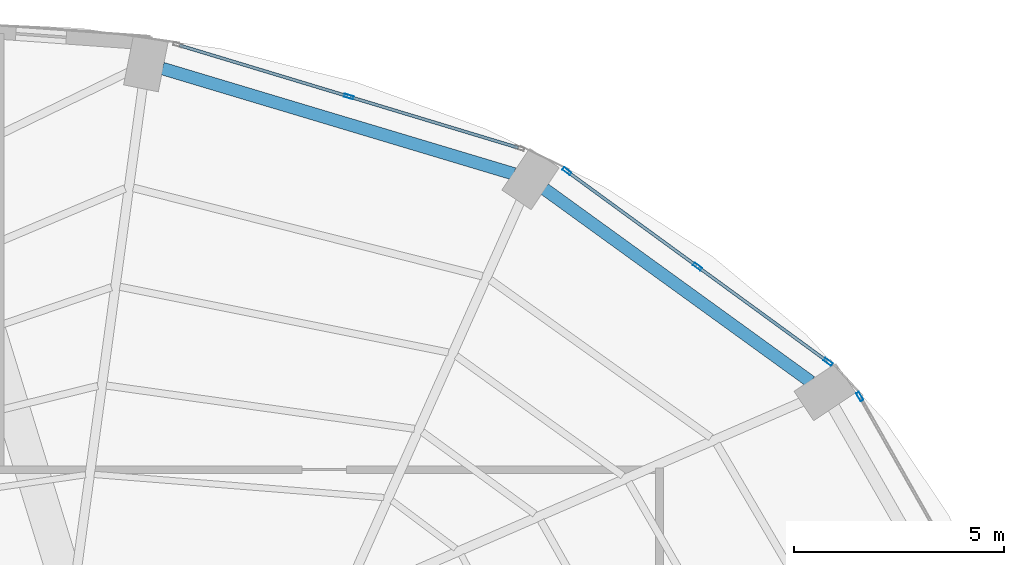
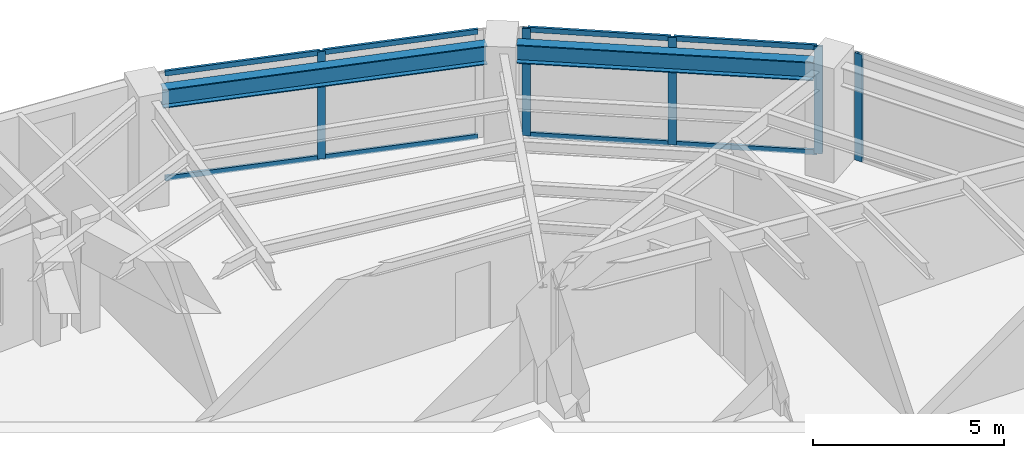
# One storey, part 17 of 23: 13 members, 2 beams, 3 elements without a shape of their own.
"""IFC4 building model written with IfcOpenShell, lengths in metres."""

from ifc_helpers import new_model, si_unit, direction, frame, origin, origin_2d, place, context, subcontext, project, spatial, hollow_rectangle, i_section, extrude, material, layer, layer_set, material_profile, profile_set, type_object, element, aggregate, save


model = new_model("IFC4")

# Units and contexts
model_context = context("Model", 3, precision=1e-05, world=origin(), true_north=direction((0.0, 1.0)))
body_context = subcontext(model_context, "Body", "Model", "MODEL_VIEW")
ifc_project = project(units=[si_unit("LENGTHUNIT", "METRE"), si_unit("AREAUNIT", "SQUARE_METRE"), si_unit("VOLUMEUNIT", "CUBIC_METRE"), si_unit("PLANEANGLEUNIT", "RADIAN"), si_unit("MASSUNIT", "GRAM", prefix="KILO")], contexts=[model_context])

# Site, building, storey
site_placement = place(None, origin())
site = spatial("IfcSite", under=ifc_project, at=site_placement, CompositionType="ELEMENT")
building_placement = place(site_placement, origin())
building = spatial("IfcBuilding", under=site, at=building_placement, Name="Lazwardi Medical Tower", CompositionType="ELEMENT")
storey_placement = place(building_placement, frame((0.0, 0.0, 92.68798828125)))
storey = spatial("IfcBuildingStorey", under=building, at=storey_placement, Name="L23", CompositionType="ELEMENT", Elevation=92.68798828125)

# Beams
ifc_material_1 = material(Name="Steel S355", Category="steel")
ifc_material_profile_1 = material_profile(ifc_material_1, i_section(OverallWidth=0.300048828125, OverallDepth=0.60009765625, WebThickness=0.015380859375, FlangeThickness=0.030029296875, at=origin_2d()), Name="HEB 600")
ifc_profile_set_1 = profile_set([ifc_material_profile_1], Name="Steel S355")
beam_type = type_object("IfcBeamType", Name="BM-RB-Z2", PredefinedType="BEAM", material=ifc_profile_set_1)
beam_1_placement = place(storey_placement, frame((56.74560546875, 40.835205078125, 3.1279296875), z_axis=(-0.81005674773, 0.586351486275, 0.0), x_axis=(-0.586351486275, -0.81005674773, 0.0)))
element("IfcBeam", 1, at=beam_1_placement, inside=storey, type_object=beam_type, Name="Ring beam RB-03 B06 L23", PredefinedType="BEAM", context=body_context, shape_type="SweptSolid", body=[
    extrude(i_section(OverallWidth=0.300048828125, OverallDepth=0.60009765625, WebThickness=0.015380859375, FlangeThickness=0.030029296875, at=origin_2d()), origin(), (0.0, 0.0, 1.0), 7.81396484375),
])
beam_2_placement = place(storey_placement, frame((49.69091796875, 45.775390625, 3.1279296875), z_axis=(-0.957879438442, 0.287170648587, 0.0), x_axis=(-0.287170648587, -0.957879438442, 0.0)))
element("IfcBeam", 2, at=beam_2_placement, inside=storey, type_object=beam_type, Name="Ring beam RB-03 B07 L23", PredefinedType="BEAM", context=body_context, shape_type="SweptSolid", body=[
    extrude(i_section(OverallWidth=0.300048828125, OverallDepth=0.60009765625, WebThickness=0.015380859375, FlangeThickness=0.030029296875, at=origin_2d()), origin(), (0.0, 0.0, 1.0), 8.719970703125),
])

# Curtain wall, member
ifc_material_2 = material(Name="Anodised bronze aluminium and solar control glazing", Category="aluminium")
ifc_layer = layer(ifc_material_2, 0.195068359375)
ifc_layer_set = layer_set([ifc_layer], Name="Anodised bronze aluminium and solar control glazing")
curtain_wall_type = type_object("IfcCurtainWallType", Name="CW-SYS-03", PredefinedType="NOTDEFINED", material=ifc_layer_set)
curtain_wall_1_placement = place(storey_placement, origin())
curtain_wall_1 = element("IfcCurtainWall", 3, at=curtain_wall_1_placement, inside=storey, type_object=curtain_wall_type, Name="L23 Unitised bronze curtain wall CW-03", PredefinedType="NOTDEFINED")
ifc_material_3 = material(Name="Anodised bronze aluminium", Category="aluminium")
ifc_material_profile_2 = material_profile(ifc_material_3, hollow_rectangle(XDim=0.074951171875, YDim=0.219970703125, WallThickness=0.00390625, at=origin_2d()), Name="ALU-MULLION 220x75x4")
ifc_profile_set_2 = profile_set([ifc_material_profile_2], Name="Anodised bronze aluminium")
member_type_1 = type_object("IfcMemberType", Name="CW-MUL-01", PredefinedType="MULLION", material=ifc_profile_set_2)
member_1_placement = place(storey_placement, frame((57.9072265625, 40.48583984375, 0.0), z_axis=(0.0, 0.0, 1.0), x_axis=(-0.869687265712, -0.493603140041, 0.0)))
member_1 = element("IfcMember", 4, at=member_1_placement, type_object=member_type_1, Name="CW-03 mullion 2", PredefinedType="MULLION", context=body_context, shape_type="SweptSolid", body=[
    extrude(hollow_rectangle(XDim=0.074951171875, YDim=0.219970703125, WallThickness=0.00390625, at=origin_2d()), origin(), (0.0, 0.0, 1.0), 3.427978515625),
])
aggregate(curtain_wall_1, [member_1])

# Curtain wall, members
curtain_wall_2_placement = place(storey_placement, origin())
curtain_wall_2 = element("IfcCurtainWall", 5, at=curtain_wall_2_placement, inside=storey, type_object=curtain_wall_type, Name="L23 Unitised bronze curtain wall CW-03", PredefinedType="NOTDEFINED")
member_2_placement = place(storey_placement, frame((57.155029296875, 41.308837890625, 0.0), z_axis=(0.0, 0.0, 1.0), x_axis=(-0.589530882802, -0.807745837639, 0.0)))
member_2 = element("IfcMember", 6, at=member_2_placement, type_object=member_type_1, Name="CW-03 mullion 1", PredefinedType="MULLION", context=body_context, shape_type="SweptSolid", body=[
    extrude(hollow_rectangle(XDim=0.074951171875, YDim=0.219970703125, WallThickness=0.00390625, at=origin_2d()), origin(), (0.0, 0.0, 1.0), 3.427978515625),
])
member_3_placement = place(storey_placement, frame((54.051025390625, 43.57421875, 0.0), z_axis=(0.0, 0.0, 1.0), x_axis=(-0.589530882802, -0.807745837639, 0.0)))
member_3 = element("IfcMember", 7, at=member_3_placement, type_object=member_type_1, Name="CW-03 mullion 2", PredefinedType="MULLION", context=body_context, shape_type="SweptSolid", body=[
    extrude(hollow_rectangle(XDim=0.074951171875, YDim=0.219970703125, WallThickness=0.00390625, at=origin_2d()), origin(), (0.0, 0.0, 1.0), 3.427978515625),
])
member_4_placement = place(storey_placement, frame((50.947265625, 45.839599609375, 0.0), z_axis=(0.0, 0.0, 1.0), x_axis=(-0.589530882802, -0.807745837639, 0.0)))
member_4 = element("IfcMember", 8, at=member_4_placement, type_object=member_type_1, Name="CW-03 mullion 3", PredefinedType="MULLION", context=body_context, shape_type="SweptSolid", body=[
    extrude(hollow_rectangle(XDim=0.074951171875, YDim=0.219970703125, WallThickness=0.00390625, at=origin_2d()), origin(), (0.0, 0.0, 1.0), 3.427978515625),
])

# Curtain wall, member
curtain_wall_3_placement = place(storey_placement, origin())
curtain_wall_3 = element("IfcCurtainWall", 9, at=curtain_wall_3_placement, inside=storey, type_object=curtain_wall_type, Name="L23 Unitised bronze curtain wall CW-03", PredefinedType="NOTDEFINED")
member_5_placement = place(storey_placement, frame((45.769287109375, 47.613037109375, 0.0), z_axis=(0.0, 0.0, 1.0), x_axis=(-0.28937381157, -0.957216170558, 0.0)))
member_5 = element("IfcMember", 10, at=member_5_placement, type_object=member_type_1, Name="CW-03 mullion 2", PredefinedType="MULLION", context=body_context, shape_type="SweptSolid", body=[
    extrude(hollow_rectangle(XDim=0.074951171875, YDim=0.219970703125, WallThickness=0.00390625, at=origin_2d()), origin(), (0.0, 0.0, 1.0), 3.427978515625),
])

# Member
ifc_material_profile_3 = material_profile(ifc_material_3, hollow_rectangle(XDim=0.074951171875, YDim=0.159912109375, WallThickness=0.00390625, at=origin_2d()), Name="ALU-TRANSOM 160x75x4")
ifc_profile_set_3 = profile_set([ifc_material_profile_3], Name="Anodised bronze aluminium")
member_type_2 = type_object("IfcMemberType", Name="CW-TRN-01", PredefinedType="USERDEFINED", material=ifc_profile_set_3)
member_6_placement = place(storey_placement, frame((57.12451171875, 41.3310546875, 0.03759765625), z_axis=(-0.807731734271, 0.589550206049, 0.0), x_axis=(-0.589550206049, -0.807731734271, 0.0)))
member_6 = element("IfcMember", 11, at=member_6_placement, type_object=member_type_2, Name="CW-03 transom 1.1", ObjectType="TRANSOM", PredefinedType="USERDEFINED", context=body_context, shape_type="SweptSolid", body=[
    extrude(hollow_rectangle(XDim=0.074951171875, YDim=0.159912109375, WallThickness=0.00390625, at=origin_2d()), origin(), (0.0, 0.0, 1.0), 3.767578125),
])

member_7_placement = place(storey_placement, frame((57.12451171875, 41.3310546875, 3.390625), z_axis=(-0.807731734271, 0.589550206049, 0.0), x_axis=(-0.589550206049, -0.807731734271, 0.0)))
member_7 = element("IfcMember", 12, at=member_7_placement, type_object=member_type_2, Name="CW-03 transom 1.2", ObjectType="TRANSOM", PredefinedType="USERDEFINED", context=body_context, shape_type="SweptSolid", body=[
    extrude(hollow_rectangle(XDim=0.074951171875, YDim=0.159912109375, WallThickness=0.00390625, at=origin_2d()), origin(), (0.0, 0.0, 1.0), 3.767578125),
])

member_8_placement = place(storey_placement, frame((54.020751953125, 43.596435546875, 0.03759765625), z_axis=(-0.80776259199, 0.58950792614, 0.0), x_axis=(-0.58950792614, -0.80776259199, 0.0)))
member_8 = element("IfcMember", 13, at=member_8_placement, type_object=member_type_2, Name="CW-03 transom 2.1", ObjectType="TRANSOM", PredefinedType="USERDEFINED", context=body_context, shape_type="SweptSolid", body=[
    extrude(hollow_rectangle(XDim=0.074951171875, YDim=0.159912109375, WallThickness=0.00390625, at=origin_2d()), origin(), (0.0, 0.0, 1.0), 3.767578125),
])

member_9_placement = place(storey_placement, frame((54.020751953125, 43.596435546875, 3.390625), z_axis=(-0.80776259199, 0.58950792614, 0.0), x_axis=(-0.58950792614, -0.80776259199, 0.0)))
member_9 = element("IfcMember", 14, at=member_9_placement, type_object=member_type_2, Name="CW-03 transom 2.2", ObjectType="TRANSOM", PredefinedType="USERDEFINED", context=body_context, shape_type="SweptSolid", body=[
    extrude(hollow_rectangle(XDim=0.074951171875, YDim=0.159912109375, WallThickness=0.00390625, at=origin_2d()), origin(), (0.0, 0.0, 1.0), 3.767578125),
])

aggregate(curtain_wall_2, [member_2, member_3, member_4, member_6, member_7, member_8, member_9])

member_10_placement = place(storey_placement, frame((49.79248046875, 46.396728515625, 0.03759765625), z_axis=(-0.957204630929, 0.289411980623, 0.0), x_axis=(-0.289411980623, -0.957204630929, 0.0)))
member_10 = element("IfcMember", 15, at=member_10_placement, type_object=member_type_2, Name="CW-03 transom 1.1", ObjectType="TRANSOM", PredefinedType="USERDEFINED", context=body_context, shape_type="SweptSolid", body=[
    extrude(hollow_rectangle(XDim=0.074951171875, YDim=0.159912109375, WallThickness=0.00390625, at=origin_2d()), origin(), (0.0, 0.0, 1.0), 4.16552734375),
])

member_11_placement = place(storey_placement, frame((49.79248046875, 46.396728515625, 3.390625), z_axis=(-0.957204630929, 0.289411980623, 0.0), x_axis=(-0.289411980623, -0.957204630929, 0.0)))
member_11 = element("IfcMember", 16, at=member_11_placement, type_object=member_type_2, Name="CW-03 transom 1.2", ObjectType="TRANSOM", PredefinedType="USERDEFINED", context=body_context, shape_type="SweptSolid", body=[
    extrude(hollow_rectangle(XDim=0.074951171875, YDim=0.159912109375, WallThickness=0.00390625, at=origin_2d()), origin(), (0.0, 0.0, 1.0), 4.16552734375),
])

member_12_placement = place(storey_placement, frame((45.7333984375, 47.6240234375, 0.03759765625), z_axis=(-0.957220865985, 0.289358279168, 0.0), x_axis=(-0.289358279168, -0.957220865985, 0.0)))
member_12 = element("IfcMember", 17, at=member_12_placement, type_object=member_type_2, Name="CW-03 transom 2.1", ObjectType="TRANSOM", PredefinedType="USERDEFINED", context=body_context, shape_type="SweptSolid", body=[
    extrude(hollow_rectangle(XDim=0.074951171875, YDim=0.159912109375, WallThickness=0.00390625, at=origin_2d()), origin(), (0.0, 0.0, 1.0), 4.16552734375),
])

member_13_placement = place(storey_placement, frame((45.7333984375, 47.6240234375, 3.390625), z_axis=(-0.957220865985, 0.289358279168, 0.0), x_axis=(-0.289358279168, -0.957220865985, 0.0)))
member_13 = element("IfcMember", 18, at=member_13_placement, type_object=member_type_2, Name="CW-03 transom 2.2", ObjectType="TRANSOM", PredefinedType="USERDEFINED", context=body_context, shape_type="SweptSolid", body=[
    extrude(hollow_rectangle(XDim=0.074951171875, YDim=0.159912109375, WallThickness=0.00390625, at=origin_2d()), origin(), (0.0, 0.0, 1.0), 4.16552734375),
])

aggregate(curtain_wall_3, [member_5, member_10, member_11, member_12, member_13])

save(model, "model.ifc")
